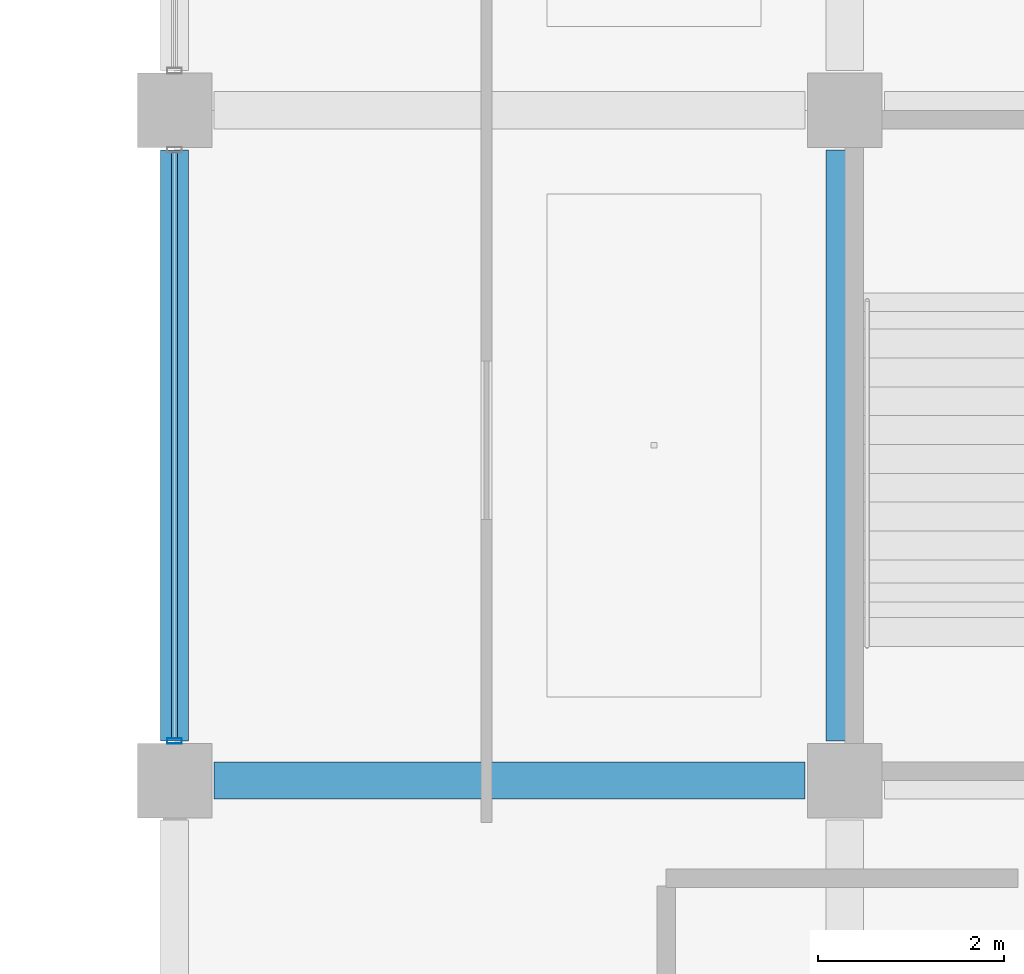
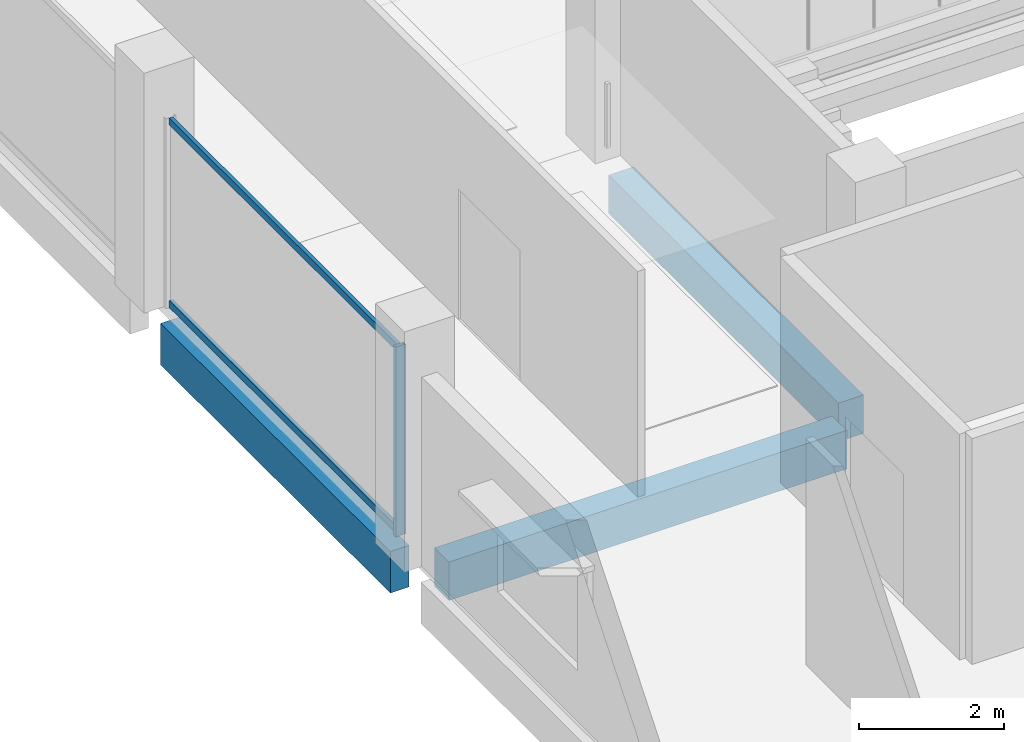
# One storey, part 56 of 107: 3 beams, 3 members, 1 element without a shape of its own.
"""IFC4 building model written with IfcOpenShell, lengths in metres."""

from ifc_helpers import new_model, si_unit, direction, frame, origin, origin_2d, place, context, subcontext, project, spatial, rectangle, hollow_rectangle, extrude, material, layer, layer_set, material_profile, profile_set, type_object, element, aggregate, save


model = new_model("IFC4")

# Units and contexts
model_context = context("Model", 3, precision=1e-05, world=origin(), true_north=direction((0.0, 1.0)))
body_context = subcontext(model_context, "Body", "Model", "MODEL_VIEW")
ifc_project = project(units=[si_unit("LENGTHUNIT", "METRE"), si_unit("AREAUNIT", "SQUARE_METRE"), si_unit("VOLUMEUNIT", "CUBIC_METRE"), si_unit("PLANEANGLEUNIT", "RADIAN"), si_unit("MASSUNIT", "GRAM", prefix="KILO")], contexts=[model_context])

# Site, building, storey
site_placement = place(None, origin())
site = spatial("IfcSite", under=ifc_project, at=site_placement, CompositionType="ELEMENT")
building_placement = place(site_placement, origin())
building = spatial("IfcBuilding", under=site, at=building_placement, Name="Kangsadwip Square Police Headquarters", CompositionType="ELEMENT")
storey_placement = place(building_placement, frame((0.0, 0.0, 5.39990234375)))
storey = spatial("IfcBuildingStorey", under=building, at=storey_placement, Name="L01", CompositionType="ELEMENT", Elevation=5.39990234375)

# Curtain wall, members
ifc_material_1 = material(Name="Thermally broken anodised aluminium AW-6063-T6", Category="aluminium")
ifc_layer = layer(ifc_material_1, 0.159912109375)
ifc_layer_set = layer_set([ifc_layer], Name="Thermally broken anodised aluminium AW-6063-T6")
curtain_wall_type = type_object("IfcCurtainWallType", Name="CourtScreen6410x3200", PredefinedType="USERDEFINED", material=ifc_layer_set)
curtain_wall_placement = place(storey_placement, origin())
curtain_wall = element("IfcCurtainWall", 1, at=curtain_wall_placement, inside=storey, type_object=curtain_wall_type, Name="Curtain Wall CW-L01-1440-0580", ObjectType="GLAZED_SCREEN", PredefinedType="USERDEFINED")
ifc_material_2 = material(Name="Thermally broken anodised aluminium AW-6063-T6", Category="aluminium")
ifc_material_profile_1 = material_profile(ifc_material_2, hollow_rectangle(XDim=0.06005859375, YDim=0.159912109375, WallThickness=0.00390625, at=origin_2d()), Name="CWM 160X60X4")
ifc_profile_set_1 = profile_set([ifc_material_profile_1], Name="Thermally broken anodised aluminium AW-6063-T6")
member_type_1 = type_object("IfcMemberType", Name="CwMullion135x60", PredefinedType="MULLION", material=ifc_profile_set_1)
member_1_placement = place(storey_placement, frame((144.0, 58.02490234375, 0.0), z_axis=(0.0, 0.0, 1.0), x_axis=(0.0, 1.0, 0.0)))
member_1 = element("IfcMember", 2, at=member_1_placement, type_object=member_type_1, Name="CW-30 mullion 1", PredefinedType="MULLION", context=body_context, shape_type="SweptSolid", body=[
    extrude(hollow_rectangle(XDim=0.06005859375, YDim=0.159912109375, WallThickness=0.00390625, at=origin_2d()), origin(), (0.0, 0.0, 1.0), 3.2001953125),
])
ifc_material_3 = material(Name="Thermally broken anodised aluminium AW-6063-T6", Category="aluminium")
ifc_material_profile_2 = material_profile(ifc_material_3, hollow_rectangle(XDim=0.06005859375, YDim=0.1201171875, WallThickness=0.00390625, at=origin_2d()), Name="CWT 120X60X4")
ifc_profile_set_2 = profile_set([ifc_material_profile_2], Name="Thermally broken anodised aluminium AW-6063-T6")
member_type_2 = type_object("IfcMemberType", Name="CwTransom120x55", PredefinedType="USERDEFINED", material=ifc_profile_set_2)
member_2_placement = place(storey_placement, frame((144.0, 58.054931640625, 0.06005859375), z_axis=(0.0, 1.0, 0.0), x_axis=(-1.0, 0.0, 0.0)))
member_2 = element("IfcMember", 3, at=member_2_placement, type_object=member_type_2, Name="CW-30 transom 1.1", ObjectType="TRANSOM", PredefinedType="USERDEFINED", context=body_context, shape_type="SweptSolid", body=[
    extrude(hollow_rectangle(XDim=0.06005859375, YDim=0.1201171875, WallThickness=0.00390625, at=origin_2d()), origin(), (0.0, 0.0, 1.0), 6.2900390625),
])
member_3_placement = place(storey_placement, frame((144.0, 58.054931640625, 3.14013671875), z_axis=(0.0, 1.0, 0.0), x_axis=(-1.0, 0.0, 0.0)))
member_3 = element("IfcMember", 4, at=member_3_placement, type_object=member_type_2, Name="CW-30 transom 1.2", ObjectType="TRANSOM", PredefinedType="USERDEFINED", context=body_context, shape_type="SweptSolid", body=[
    extrude(hollow_rectangle(XDim=0.06005859375, YDim=0.1201171875, WallThickness=0.00390625, at=origin_2d()), origin(), (0.0, 0.0, 1.0), 6.2900390625),
])
aggregate(curtain_wall, [member_1, member_2, member_3])

# Beams
ifc_material_4 = material(Name="Concrete M35 (35 MPa)", Category="concrete")
ifc_material_profile_3 = material_profile(ifc_material_4, rectangle(XDim=0.39990234375, YDim=0.64990234375, at=origin_2d()), Name="RC BM 650X400")
ifc_profile_set_3 = profile_set([ifc_material_profile_3], Name="Concrete M35 (35 MPa)")
beam_type_1 = type_object("IfcBeamType", Name="RcBeam650x400", PredefinedType="BEAM", material=ifc_profile_set_3)
beam_1_placement = place(storey_placement, frame((144.425048828125, 57.60009765625, -0.56494140625), z_axis=(1.0, 0.0, 0.0), x_axis=(0.0, 1.0, 0.0)))
element("IfcBeam", 5, at=beam_1_placement, inside=storey, type_object=beam_type_1, Name="Beam BM-L01-X-20-08", PredefinedType="BEAM", context=body_context, shape_type="SweptSolid", body=[
    extrude(rectangle(XDim=0.39990234375, YDim=0.64990234375, at=origin_2d()), origin(), (0.0, 0.0, 1.0), 6.349853515625),
])
beam_2_placement = place(storey_placement, frame((151.199951171875, 58.02490234375, -0.56494140625), z_axis=(0.0, 1.0, 0.0), x_axis=(-1.0, 0.0, 0.0)))
element("IfcBeam", 6, at=beam_2_placement, inside=storey, type_object=beam_type_1, Name="Beam BM-L01-Y-21-08", PredefinedType="BEAM", context=body_context, shape_type="SweptSolid", body=[
    extrude(rectangle(XDim=0.39990234375, YDim=0.64990234375, at=origin_2d()), origin(), (0.0, 0.0, 1.0), 6.35009765625),
])
ifc_material_5 = material(Name="Concrete M40 (40 MPa)", Category="concrete")
ifc_material_profile_4 = material_profile(ifc_material_5, rectangle(XDim=0.300048828125, YDim=0.699951171875, at=origin_2d()), Name="RC SPN 700X300")
ifc_profile_set_4 = profile_set([ifc_material_profile_4], Name="Concrete M40 (40 MPa)")
beam_type_2 = type_object("IfcBeamType", Name="RcSpandrel700x300", PredefinedType="SPANDREL", material=ifc_profile_set_4)
beam_3_placement = place(storey_placement, frame((144.0, 58.02490234375, -0.58984375), z_axis=(0.0, 1.0, 0.0), x_axis=(-1.0, 0.0, 0.0)))
element("IfcBeam", 7, at=beam_3_placement, inside=storey, type_object=beam_type_2, Name="Beam BM-L01-Y-20-08", PredefinedType="SPANDREL", context=body_context, shape_type="SweptSolid", body=[
    extrude(rectangle(XDim=0.300048828125, YDim=0.699951171875, at=origin_2d()), origin(), (0.0, 0.0, 1.0), 6.35009765625),
])

save(model, "model.ifc")
